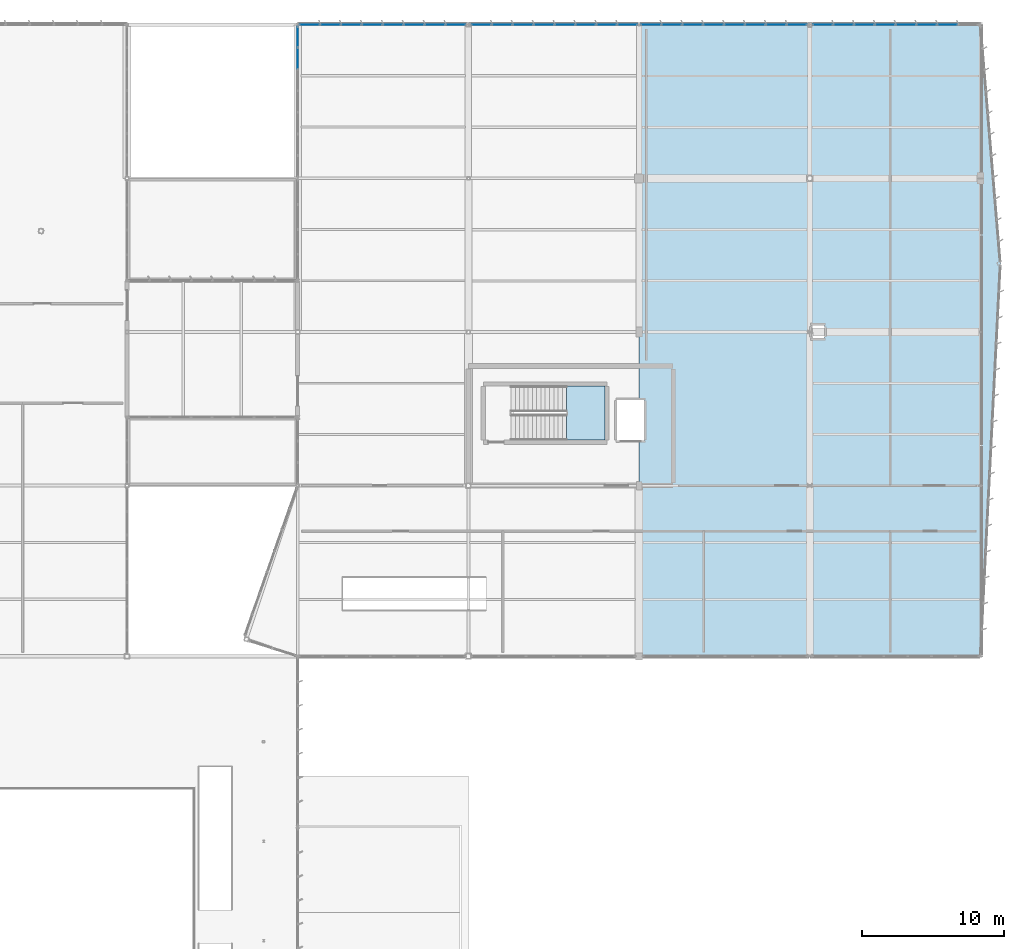
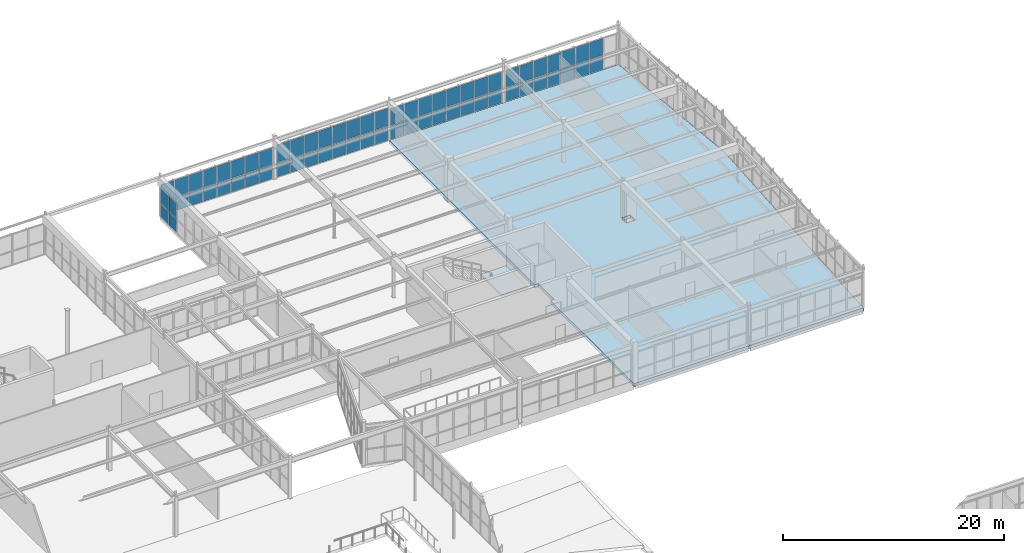
# One storey, part 151 of 226: 66 plates, 2 slabs, 6 elements without a shape of their own.
"""IFC4 building model written with IfcOpenShell, lengths in metres."""

from ifc_helpers import new_model, si_unit, direction, frame, origin, origin_2d, place, context, subcontext, project, spatial, polyline, rectangle, outline, extrude, material, layer, layer_set, type_object, element, aggregate, save


model = new_model("IFC4")

# Units and contexts
model_context = context("Model", 3, precision=1e-05, world=origin(), true_north=direction((0.0, 1.0)))
body_context = subcontext(model_context, "Body", "Model", "MODEL_VIEW")
ifc_project = project(units=[si_unit("LENGTHUNIT", "METRE"), si_unit("AREAUNIT", "SQUARE_METRE"), si_unit("VOLUMEUNIT", "CUBIC_METRE"), si_unit("PLANEANGLEUNIT", "RADIAN"), si_unit("MASSUNIT", "GRAM", prefix="KILO")], contexts=[model_context])

# Site, building, storey
site_placement = place(None, origin())
site = spatial("IfcSite", under=ifc_project, at=site_placement, CompositionType="ELEMENT")
building_placement = place(site_placement, origin())
building = spatial("IfcBuilding", under=site, at=building_placement, Name="Tarnwether General Hospital", CompositionType="ELEMENT")
storey_placement = place(building_placement, frame((0.0, 0.0, 4.800048828125)))
storey = spatial("IfcBuildingStorey", under=building, at=storey_placement, Name="L01", CompositionType="ELEMENT", Elevation=4.800048828125)

# Curtain wall, plates
ifc_material_1 = material(Name="Anodised aluminium", Category="aluminium")
ifc_layer_1 = layer(ifc_material_1, 0.159912109375)
ifc_layer_set_1 = layer_set([ifc_layer_1], Name="Anodised aluminium")
curtain_wall_type_1 = type_object("IfcCurtainWallType", Name="CW-15", PredefinedType="NOTDEFINED", material=ifc_layer_set_1)
curtain_wall_1_placement = place(storey_placement, origin())
curtain_wall_1 = element("IfcCurtainWall", 1, at=curtain_wall_1_placement, inside=storey, type_object=curtain_wall_type_1, Name="Curtain Wall CWG-L01-1440_1153-0378", PredefinedType="NOTDEFINED")
ifc_material_2 = material(Name="Double glazed low-E glass", Category="glass")
ifc_layer_2 = layer(ifc_material_2, 0.028076171875)
ifc_layer_set_2 = layer_set([ifc_layer_2], Name="Double glazed low-E glass")
plate_type = type_object("IfcPlateType", Name="PT-CWP1", PredefinedType="CURTAIN_PANEL", material=ifc_layer_set_2)
plate_1_placement = place(storey_placement, frame((144.0, 123.638427734375, 0.059814453125), z_axis=(0.0, 0.0, 1.0), x_axis=(0.0, 1.0, 0.0)))
plate_1 = element("IfcPlate", 2, at=plate_1_placement, type_object=plate_type, Name="CW-15 panel 6.1", PredefinedType="CURTAIN_PANEL", context=body_context, shape_type="SweptSolid", body=[
    extrude(rectangle(XDim=1.45849609375, YDim=0.028076171875, at=origin_2d()), origin(), (0.0, 0.0, 1.0), 1.47607421875),
])
plate_2_placement = place(storey_placement, frame((144.0, 123.638427734375, 1.59619140625), z_axis=(0.0, 0.0, 1.0), x_axis=(0.0, 1.0, 0.0)))
plate_2 = element("IfcPlate", 3, at=plate_2_placement, type_object=plate_type, Name="CW-15 panel 6.2", PredefinedType="CURTAIN_PANEL", context=body_context, shape_type="SweptSolid", body=[
    extrude(rectangle(XDim=1.45849609375, YDim=0.028076171875, at=origin_2d()), origin(), (0.0, 0.0, 1.0), 1.823974609375),
])
plate_3_placement = place(storey_placement, frame((144.0, 125.141845703125, 0.059814453125), z_axis=(0.0, 0.0, 1.0), x_axis=(0.0, 1.0, 0.0)))
plate_3 = element("IfcPlate", 4, at=plate_3_placement, type_object=plate_type, Name="CW-15 panel 7.1", PredefinedType="CURTAIN_PANEL", context=body_context, shape_type="SweptSolid", body=[
    extrude(rectangle(XDim=1.428466796875, YDim=0.028076171875, at=origin_2d()), origin(), (0.0, 0.0, 1.0), 1.47607421875),
])
plate_4_placement = place(storey_placement, frame((144.0, 125.141845703125, 1.59619140625), z_axis=(0.0, 0.0, 1.0), x_axis=(0.0, 1.0, 0.0)))
plate_4 = element("IfcPlate", 5, at=plate_4_placement, type_object=plate_type, Name="CW-15 panel 7.2", PredefinedType="CURTAIN_PANEL", context=body_context, shape_type="SweptSolid", body=[
    extrude(rectangle(XDim=1.428466796875, YDim=0.028076171875, at=origin_2d()), origin(), (0.0, 0.0, 1.0), 1.823974609375),
])
aggregate(curtain_wall_1, [plate_1, plate_2, plate_3, plate_4])

ifc_material_3 = material(Name="Anodised aluminium", Category="aluminium")
ifc_layer_3 = layer(ifc_material_3, 0.159912109375)
ifc_layer_set_3 = layer_set([ifc_layer_3], Name="Anodised aluminium")
curtain_wall_type_2 = type_object("IfcCurtainWallType", Name="CW-16", PredefinedType="NOTDEFINED", material=ifc_layer_set_3)
curtain_wall_2_placement = place(storey_placement, origin())
curtain_wall_2 = element("IfcCurtainWall", 6, at=curtain_wall_2_placement, inside=storey, type_object=curtain_wall_type_2, Name="Curtain Wall CWG-L01-1441_1260-0389", PredefinedType="NOTDEFINED")
plate_5_placement = place(storey_placement, frame((144.833984375, 126.0, 0.059814453125), z_axis=(0.0, 0.0, 1.0), x_axis=(1.0, 0.0, 0.0)))
plate_5 = element("IfcPlate", 7, at=plate_5_placement, type_object=plate_type, Name="CW-16 panel 1.1", PredefinedType="CURTAIN_PANEL", context=body_context, shape_type="SweptSolid", body=[
    extrude(rectangle(XDim=1.379638671875, YDim=0.028076171875, at=origin_2d()), origin(), (0.0, 0.0, 1.0), 1.49853515625),
])
plate_6_placement = place(storey_placement, frame((144.833984375, 126.0, 1.618408203125), z_axis=(0.0, 0.0, 1.0), x_axis=(1.0, 0.0, 0.0)))
plate_6 = element("IfcPlate", 8, at=plate_6_placement, type_object=plate_type, Name="CW-16 panel 1.2", PredefinedType="CURTAIN_PANEL", context=body_context, shape_type="SweptSolid", body=[
    extrude(rectangle(XDim=1.379638671875, YDim=0.028076171875, at=origin_2d()), origin(), (0.0, 0.0, 1.0), 1.8515625),
])
plate_7_placement = place(storey_placement, frame((146.28857421875, 126.0, 0.059814453125), z_axis=(0.0, 0.0, 1.0), x_axis=(1.0, 0.0, 0.0)))
plate_7 = element("IfcPlate", 9, at=plate_7_placement, type_object=plate_type, Name="CW-16 panel 2.1", PredefinedType="CURTAIN_PANEL", context=body_context, shape_type="SweptSolid", body=[
    extrude(rectangle(XDim=1.40966796875, YDim=0.028076171875, at=origin_2d()), origin(), (0.0, 0.0, 1.0), 1.49853515625),
])
plate_8_placement = place(storey_placement, frame((146.28857421875, 126.0, 1.618408203125), z_axis=(0.0, 0.0, 1.0), x_axis=(1.0, 0.0, 0.0)))
plate_8 = element("IfcPlate", 10, at=plate_8_placement, type_object=plate_type, Name="CW-16 panel 2.2", PredefinedType="CURTAIN_PANEL", context=body_context, shape_type="SweptSolid", body=[
    extrude(rectangle(XDim=1.40966796875, YDim=0.028076171875, at=origin_2d()), origin(), (0.0, 0.0, 1.0), 1.8515625),
])
plate_9_placement = place(storey_placement, frame((147.75830078125, 126.0, 0.059814453125), z_axis=(0.0, 0.0, 1.0), x_axis=(1.0, 0.0, 0.0)))
plate_9 = element("IfcPlate", 11, at=plate_9_placement, type_object=plate_type, Name="CW-16 panel 3.1", PredefinedType="CURTAIN_PANEL", context=body_context, shape_type="SweptSolid", body=[
    extrude(rectangle(XDim=1.40966796875, YDim=0.028076171875, at=origin_2d()), origin(), (0.0, 0.0, 1.0), 1.49853515625),
])
plate_10_placement = place(storey_placement, frame((147.75830078125, 126.0, 1.618408203125), z_axis=(0.0, 0.0, 1.0), x_axis=(1.0, 0.0, 0.0)))
plate_10 = element("IfcPlate", 12, at=plate_10_placement, type_object=plate_type, Name="CW-16 panel 3.2", PredefinedType="CURTAIN_PANEL", context=body_context, shape_type="SweptSolid", body=[
    extrude(rectangle(XDim=1.40966796875, YDim=0.028076171875, at=origin_2d()), origin(), (0.0, 0.0, 1.0), 1.8515625),
])
plate_11_placement = place(storey_placement, frame((149.22802734375, 126.0, 0.059814453125), z_axis=(0.0, 0.0, 1.0), x_axis=(1.0, 0.0, 0.0)))
plate_11 = element("IfcPlate", 13, at=plate_11_placement, type_object=plate_type, Name="CW-16 panel 4.1", PredefinedType="CURTAIN_PANEL", context=body_context, shape_type="SweptSolid", body=[
    extrude(rectangle(XDim=1.40966796875, YDim=0.028076171875, at=origin_2d()), origin(), (0.0, 0.0, 1.0), 1.49853515625),
])
plate_12_placement = place(storey_placement, frame((149.22802734375, 126.0, 1.618408203125), z_axis=(0.0, 0.0, 1.0), x_axis=(1.0, 0.0, 0.0)))
plate_12 = element("IfcPlate", 14, at=plate_12_placement, type_object=plate_type, Name="CW-16 panel 4.2", PredefinedType="CURTAIN_PANEL", context=body_context, shape_type="SweptSolid", body=[
    extrude(rectangle(XDim=1.40966796875, YDim=0.028076171875, at=origin_2d()), origin(), (0.0, 0.0, 1.0), 1.8515625),
])
plate_13_placement = place(storey_placement, frame((150.69775390625, 126.0, 0.059814453125), z_axis=(0.0, 0.0, 1.0), x_axis=(1.0, 0.0, 0.0)))
plate_13 = element("IfcPlate", 15, at=plate_13_placement, type_object=plate_type, Name="CW-16 panel 5.1", PredefinedType="CURTAIN_PANEL", context=body_context, shape_type="SweptSolid", body=[
    extrude(rectangle(XDim=1.40966796875, YDim=0.028076171875, at=origin_2d()), origin(), (0.0, 0.0, 1.0), 1.49853515625),
])
plate_14_placement = place(storey_placement, frame((150.69775390625, 126.0, 1.618408203125), z_axis=(0.0, 0.0, 1.0), x_axis=(1.0, 0.0, 0.0)))
plate_14 = element("IfcPlate", 16, at=plate_14_placement, type_object=plate_type, Name="CW-16 panel 5.2", PredefinedType="CURTAIN_PANEL", context=body_context, shape_type="SweptSolid", body=[
    extrude(rectangle(XDim=1.40966796875, YDim=0.028076171875, at=origin_2d()), origin(), (0.0, 0.0, 1.0), 1.8515625),
])
plate_15_placement = place(storey_placement, frame((152.167724609375, 126.0, 0.059814453125), z_axis=(0.0, 0.0, 1.0), x_axis=(1.0, 0.0, 0.0)))
plate_15 = element("IfcPlate", 17, at=plate_15_placement, type_object=plate_type, Name="CW-16 panel 6.1", PredefinedType="CURTAIN_PANEL", context=body_context, shape_type="SweptSolid", body=[
    extrude(rectangle(XDim=1.40966796875, YDim=0.028076171875, at=origin_2d()), origin(), (0.0, 0.0, 1.0), 1.49853515625),
])
plate_16_placement = place(storey_placement, frame((152.167724609375, 126.0, 1.618408203125), z_axis=(0.0, 0.0, 1.0), x_axis=(1.0, 0.0, 0.0)))
plate_16 = element("IfcPlate", 18, at=plate_16_placement, type_object=plate_type, Name="CW-16 panel 6.2", PredefinedType="CURTAIN_PANEL", context=body_context, shape_type="SweptSolid", body=[
    extrude(rectangle(XDim=1.40966796875, YDim=0.028076171875, at=origin_2d()), origin(), (0.0, 0.0, 1.0), 1.8515625),
])
plate_17_placement = place(storey_placement, frame((153.637451171875, 126.0, 0.059814453125), z_axis=(0.0, 0.0, 1.0), x_axis=(1.0, 0.0, 0.0)))
plate_17 = element("IfcPlate", 19, at=plate_17_placement, type_object=plate_type, Name="CW-16 panel 7.1", PredefinedType="CURTAIN_PANEL", context=body_context, shape_type="SweptSolid", body=[
    extrude(rectangle(XDim=1.40966796875, YDim=0.028076171875, at=origin_2d()), origin(), (0.0, 0.0, 1.0), 1.49853515625),
])
plate_18_placement = place(storey_placement, frame((153.637451171875, 126.0, 1.618408203125), z_axis=(0.0, 0.0, 1.0), x_axis=(1.0, 0.0, 0.0)))
plate_18 = element("IfcPlate", 20, at=plate_18_placement, type_object=plate_type, Name="CW-16 panel 7.2", PredefinedType="CURTAIN_PANEL", context=body_context, shape_type="SweptSolid", body=[
    extrude(rectangle(XDim=1.40966796875, YDim=0.028076171875, at=origin_2d()), origin(), (0.0, 0.0, 1.0), 1.8515625),
])
plate_19_placement = place(storey_placement, frame((155.092041015625, 126.0, 0.059814453125), z_axis=(0.0, 0.0, 1.0), x_axis=(1.0, 0.0, 0.0)))
plate_19 = element("IfcPlate", 21, at=plate_19_placement, type_object=plate_type, Name="CW-16 panel 8.1", PredefinedType="CURTAIN_PANEL", context=body_context, shape_type="SweptSolid", body=[
    extrude(rectangle(XDim=1.379638671875, YDim=0.028076171875, at=origin_2d()), origin(), (0.0, 0.0, 1.0), 1.49853515625),
])
plate_20_placement = place(storey_placement, frame((155.092041015625, 126.0, 1.618408203125), z_axis=(0.0, 0.0, 1.0), x_axis=(1.0, 0.0, 0.0)))
plate_20 = element("IfcPlate", 22, at=plate_20_placement, type_object=plate_type, Name="CW-16 panel 8.2", PredefinedType="CURTAIN_PANEL", context=body_context, shape_type="SweptSolid", body=[
    extrude(rectangle(XDim=1.379638671875, YDim=0.028076171875, at=origin_2d()), origin(), (0.0, 0.0, 1.0), 1.8515625),
])
aggregate(curtain_wall_2, [plate_5, plate_6, plate_7, plate_8, plate_9, plate_10, plate_11, plate_12, plate_13, plate_14, plate_15, plate_16, plate_17, plate_18, plate_19, plate_20])

curtain_wall_3_placement = place(storey_placement, origin())
curtain_wall_3 = element("IfcCurtainWall", 23, at=curtain_wall_3_placement, inside=storey, type_object=curtain_wall_type_2, Name="Curtain Wall CWG-L01-1562_1260-0390", PredefinedType="NOTDEFINED")
plate_21_placement = place(storey_placement, frame((156.90771484375, 126.0, 0.06005859375), z_axis=(0.0, 0.0, 1.0), x_axis=(1.0, 0.0, 0.0)))
plate_21 = element("IfcPlate", 24, at=plate_21_placement, type_object=plate_type, Name="CW-16 panel 1.1", PredefinedType="CURTAIN_PANEL", context=body_context, shape_type="SweptSolid", body=[
    extrude(rectangle(XDim=1.379638671875, YDim=0.028076171875, at=origin_2d()), origin(), (0.0, 0.0, 1.0), 1.56591796875),
])
plate_22_placement = place(storey_placement, frame((156.90771484375, 126.0, 1.685791015625), z_axis=(0.0, 0.0, 1.0), x_axis=(1.0, 0.0, 0.0)))
plate_22 = element("IfcPlate", 25, at=plate_22_placement, type_object=plate_type, Name="CW-16 panel 1.2", PredefinedType="CURTAIN_PANEL", context=body_context, shape_type="SweptSolid", body=[
    extrude(rectangle(XDim=1.379638671875, YDim=0.028076171875, at=origin_2d()), origin(), (0.0, 0.0, 1.0), 1.93408203125),
])
plate_23_placement = place(storey_placement, frame((158.362548828125, 126.0, 0.06005859375), z_axis=(0.0, 0.0, 1.0), x_axis=(1.0, 0.0, 0.0)))
plate_23 = element("IfcPlate", 26, at=plate_23_placement, type_object=plate_type, Name="CW-16 panel 2.1", PredefinedType="CURTAIN_PANEL", context=body_context, shape_type="SweptSolid", body=[
    extrude(rectangle(XDim=1.40966796875, YDim=0.028076171875, at=origin_2d()), origin(), (0.0, 0.0, 1.0), 1.56591796875),
])
plate_24_placement = place(storey_placement, frame((158.362548828125, 126.0, 1.685791015625), z_axis=(0.0, 0.0, 1.0), x_axis=(1.0, 0.0, 0.0)))
plate_24 = element("IfcPlate", 27, at=plate_24_placement, type_object=plate_type, Name="CW-16 panel 2.2", PredefinedType="CURTAIN_PANEL", context=body_context, shape_type="SweptSolid", body=[
    extrude(rectangle(XDim=1.40966796875, YDim=0.028076171875, at=origin_2d()), origin(), (0.0, 0.0, 1.0), 1.93408203125),
])
plate_25_placement = place(storey_placement, frame((159.83203125, 126.0, 0.06005859375), z_axis=(0.0, 0.0, 1.0), x_axis=(1.0, 0.0, 0.0)))
plate_25 = element("IfcPlate", 28, at=plate_25_placement, type_object=plate_type, Name="CW-16 panel 3.1", PredefinedType="CURTAIN_PANEL", context=body_context, shape_type="SweptSolid", body=[
    extrude(rectangle(XDim=1.40966796875, YDim=0.028076171875, at=origin_2d()), origin(), (0.0, 0.0, 1.0), 1.56591796875),
])
plate_26_placement = place(storey_placement, frame((159.83203125, 126.0, 1.685791015625), z_axis=(0.0, 0.0, 1.0), x_axis=(1.0, 0.0, 0.0)))
plate_26 = element("IfcPlate", 29, at=plate_26_placement, type_object=plate_type, Name="CW-16 panel 3.2", PredefinedType="CURTAIN_PANEL", context=body_context, shape_type="SweptSolid", body=[
    extrude(rectangle(XDim=1.40966796875, YDim=0.028076171875, at=origin_2d()), origin(), (0.0, 0.0, 1.0), 1.93408203125),
])
plate_27_placement = place(storey_placement, frame((161.3017578125, 126.0, 0.06005859375), z_axis=(0.0, 0.0, 1.0), x_axis=(1.0, 0.0, 0.0)))
plate_27 = element("IfcPlate", 30, at=plate_27_placement, type_object=plate_type, Name="CW-16 panel 4.1", PredefinedType="CURTAIN_PANEL", context=body_context, shape_type="SweptSolid", body=[
    extrude(rectangle(XDim=1.40966796875, YDim=0.028076171875, at=origin_2d()), origin(), (0.0, 0.0, 1.0), 1.56591796875),
])
plate_28_placement = place(storey_placement, frame((161.3017578125, 126.0, 1.685791015625), z_axis=(0.0, 0.0, 1.0), x_axis=(1.0, 0.0, 0.0)))
plate_28 = element("IfcPlate", 31, at=plate_28_placement, type_object=plate_type, Name="CW-16 panel 4.2", PredefinedType="CURTAIN_PANEL", context=body_context, shape_type="SweptSolid", body=[
    extrude(rectangle(XDim=1.40966796875, YDim=0.028076171875, at=origin_2d()), origin(), (0.0, 0.0, 1.0), 1.93408203125),
])
plate_29_placement = place(storey_placement, frame((162.771240234375, 126.0, 0.06005859375), z_axis=(0.0, 0.0, 1.0), x_axis=(1.0, 0.0, 0.0)))
plate_29 = element("IfcPlate", 32, at=plate_29_placement, type_object=plate_type, Name="CW-16 panel 5.1", PredefinedType="CURTAIN_PANEL", context=body_context, shape_type="SweptSolid", body=[
    extrude(rectangle(XDim=1.40966796875, YDim=0.028076171875, at=origin_2d()), origin(), (0.0, 0.0, 1.0), 1.56591796875),
])
plate_30_placement = place(storey_placement, frame((162.771240234375, 126.0, 1.685791015625), z_axis=(0.0, 0.0, 1.0), x_axis=(1.0, 0.0, 0.0)))
plate_30 = element("IfcPlate", 33, at=plate_30_placement, type_object=plate_type, Name="CW-16 panel 5.2", PredefinedType="CURTAIN_PANEL", context=body_context, shape_type="SweptSolid", body=[
    extrude(rectangle(XDim=1.40966796875, YDim=0.028076171875, at=origin_2d()), origin(), (0.0, 0.0, 1.0), 1.93408203125),
])
plate_31_placement = place(storey_placement, frame((164.240966796875, 126.0, 0.06005859375), z_axis=(0.0, 0.0, 1.0), x_axis=(1.0, 0.0, 0.0)))
plate_31 = element("IfcPlate", 34, at=plate_31_placement, type_object=plate_type, Name="CW-16 panel 6.1", PredefinedType="CURTAIN_PANEL", context=body_context, shape_type="SweptSolid", body=[
    extrude(rectangle(XDim=1.40966796875, YDim=0.028076171875, at=origin_2d()), origin(), (0.0, 0.0, 1.0), 1.56591796875),
])
plate_32_placement = place(storey_placement, frame((164.240966796875, 126.0, 1.685791015625), z_axis=(0.0, 0.0, 1.0), x_axis=(1.0, 0.0, 0.0)))
plate_32 = element("IfcPlate", 35, at=plate_32_placement, type_object=plate_type, Name="CW-16 panel 6.2", PredefinedType="CURTAIN_PANEL", context=body_context, shape_type="SweptSolid", body=[
    extrude(rectangle(XDim=1.40966796875, YDim=0.028076171875, at=origin_2d()), origin(), (0.0, 0.0, 1.0), 1.93408203125),
])
plate_33_placement = place(storey_placement, frame((165.71044921875, 126.0, 0.06005859375), z_axis=(0.0, 0.0, 1.0), x_axis=(1.0, 0.0, 0.0)))
plate_33 = element("IfcPlate", 36, at=plate_33_placement, type_object=plate_type, Name="CW-16 panel 7.1", PredefinedType="CURTAIN_PANEL", context=body_context, shape_type="SweptSolid", body=[
    extrude(rectangle(XDim=1.40966796875, YDim=0.028076171875, at=origin_2d()), origin(), (0.0, 0.0, 1.0), 1.56591796875),
])
plate_34_placement = place(storey_placement, frame((165.71044921875, 126.0, 1.685791015625), z_axis=(0.0, 0.0, 1.0), x_axis=(1.0, 0.0, 0.0)))
plate_34 = element("IfcPlate", 37, at=plate_34_placement, type_object=plate_type, Name="CW-16 panel 7.2", PredefinedType="CURTAIN_PANEL", context=body_context, shape_type="SweptSolid", body=[
    extrude(rectangle(XDim=1.40966796875, YDim=0.028076171875, at=origin_2d()), origin(), (0.0, 0.0, 1.0), 1.93408203125),
])
plate_35_placement = place(storey_placement, frame((167.165283203125, 126.0, 0.06005859375), z_axis=(0.0, 0.0, 1.0), x_axis=(1.0, 0.0, 0.0)))
plate_35 = element("IfcPlate", 38, at=plate_35_placement, type_object=plate_type, Name="CW-16 panel 8.1", PredefinedType="CURTAIN_PANEL", context=body_context, shape_type="SweptSolid", body=[
    extrude(rectangle(XDim=1.379638671875, YDim=0.028076171875, at=origin_2d()), origin(), (0.0, 0.0, 1.0), 1.56591796875),
])
plate_36_placement = place(storey_placement, frame((167.165283203125, 126.0, 1.685791015625), z_axis=(0.0, 0.0, 1.0), x_axis=(1.0, 0.0, 0.0)))
plate_36 = element("IfcPlate", 39, at=plate_36_placement, type_object=plate_type, Name="CW-16 panel 8.2", PredefinedType="CURTAIN_PANEL", context=body_context, shape_type="SweptSolid", body=[
    extrude(rectangle(XDim=1.379638671875, YDim=0.028076171875, at=origin_2d()), origin(), (0.0, 0.0, 1.0), 1.93408203125),
])
aggregate(curtain_wall_3, [plate_21, plate_22, plate_23, plate_24, plate_25, plate_26, plate_27, plate_28, plate_29, plate_30, plate_31, plate_32, plate_33, plate_34, plate_35, plate_36])

curtain_wall_4_placement = place(storey_placement, origin())
curtain_wall_4 = element("IfcCurtainWall", 40, at=curtain_wall_4_placement, inside=storey, type_object=curtain_wall_type_2, Name="Curtain Wall CWG-L01-1681_1260-0391", PredefinedType="NOTDEFINED")
plate_37_placement = place(storey_placement, frame((168.833984375, 126.0, 0.059814453125), z_axis=(0.0, 0.0, 1.0), x_axis=(1.0, 0.0, 0.0)))
plate_37 = element("IfcPlate", 41, at=plate_37_placement, type_object=plate_type, Name="CW-16 panel 1.1", PredefinedType="CURTAIN_PANEL", context=body_context, shape_type="SweptSolid", body=[
    extrude(rectangle(XDim=1.378173828125, YDim=0.028076171875, at=origin_2d()), origin(), (0.0, 0.0, 1.0), 1.49853515625),
])
plate_38_placement = place(storey_placement, frame((168.833984375, 126.0, 1.618408203125), z_axis=(0.0, 0.0, 1.0), x_axis=(1.0, 0.0, 0.0)))
plate_38 = element("IfcPlate", 42, at=plate_38_placement, type_object=plate_type, Name="CW-16 panel 1.2", PredefinedType="CURTAIN_PANEL", context=body_context, shape_type="SweptSolid", body=[
    extrude(rectangle(XDim=1.378173828125, YDim=0.028076171875, at=origin_2d()), origin(), (0.0, 0.0, 1.0), 1.8515625),
])
plate_39_placement = place(storey_placement, frame((170.287109375, 126.0, 0.059814453125), z_axis=(0.0, 0.0, 1.0), x_axis=(1.0, 0.0, 0.0)))
plate_39 = element("IfcPlate", 43, at=plate_39_placement, type_object=plate_type, Name="CW-16 panel 2.1", PredefinedType="CURTAIN_PANEL", context=body_context, shape_type="SweptSolid", body=[
    extrude(rectangle(XDim=1.408203125, YDim=0.028076171875, at=origin_2d()), origin(), (0.0, 0.0, 1.0), 1.49853515625),
])
plate_40_placement = place(storey_placement, frame((170.287109375, 126.0, 1.618408203125), z_axis=(0.0, 0.0, 1.0), x_axis=(1.0, 0.0, 0.0)))
plate_40 = element("IfcPlate", 44, at=plate_40_placement, type_object=plate_type, Name="CW-16 panel 2.2", PredefinedType="CURTAIN_PANEL", context=body_context, shape_type="SweptSolid", body=[
    extrude(rectangle(XDim=1.408203125, YDim=0.028076171875, at=origin_2d()), origin(), (0.0, 0.0, 1.0), 1.8515625),
])
plate_41_placement = place(storey_placement, frame((171.75537109375, 126.0, 0.059814453125), z_axis=(0.0, 0.0, 1.0), x_axis=(1.0, 0.0, 0.0)))
plate_41 = element("IfcPlate", 45, at=plate_41_placement, type_object=plate_type, Name="CW-16 panel 3.1", PredefinedType="CURTAIN_PANEL", context=body_context, shape_type="SweptSolid", body=[
    extrude(rectangle(XDim=1.408203125, YDim=0.028076171875, at=origin_2d()), origin(), (0.0, 0.0, 1.0), 1.49853515625),
])
plate_42_placement = place(storey_placement, frame((171.75537109375, 126.0, 1.618408203125), z_axis=(0.0, 0.0, 1.0), x_axis=(1.0, 0.0, 0.0)))
plate_42 = element("IfcPlate", 46, at=plate_42_placement, type_object=plate_type, Name="CW-16 panel 3.2", PredefinedType="CURTAIN_PANEL", context=body_context, shape_type="SweptSolid", body=[
    extrude(rectangle(XDim=1.408203125, YDim=0.028076171875, at=origin_2d()), origin(), (0.0, 0.0, 1.0), 1.8515625),
])
plate_43_placement = place(storey_placement, frame((173.223388671875, 126.0, 0.059814453125), z_axis=(0.0, 0.0, 1.0), x_axis=(1.0, 0.0, 0.0)))
plate_43 = element("IfcPlate", 47, at=plate_43_placement, type_object=plate_type, Name="CW-16 panel 4.1", PredefinedType="CURTAIN_PANEL", context=body_context, shape_type="SweptSolid", body=[
    extrude(rectangle(XDim=1.408203125, YDim=0.028076171875, at=origin_2d()), origin(), (0.0, 0.0, 1.0), 1.49853515625),
])
plate_44_placement = place(storey_placement, frame((173.223388671875, 126.0, 1.618408203125), z_axis=(0.0, 0.0, 1.0), x_axis=(1.0, 0.0, 0.0)))
plate_44 = element("IfcPlate", 48, at=plate_44_placement, type_object=plate_type, Name="CW-16 panel 4.2", PredefinedType="CURTAIN_PANEL", context=body_context, shape_type="SweptSolid", body=[
    extrude(rectangle(XDim=1.408203125, YDim=0.028076171875, at=origin_2d()), origin(), (0.0, 0.0, 1.0), 1.8515625),
])
plate_45_placement = place(storey_placement, frame((174.691650390625, 126.0, 0.059814453125), z_axis=(0.0, 0.0, 1.0), x_axis=(1.0, 0.0, 0.0)))
plate_45 = element("IfcPlate", 49, at=plate_45_placement, type_object=plate_type, Name="CW-16 panel 5.1", PredefinedType="CURTAIN_PANEL", context=body_context, shape_type="SweptSolid", body=[
    extrude(rectangle(XDim=1.408203125, YDim=0.028076171875, at=origin_2d()), origin(), (0.0, 0.0, 1.0), 1.49853515625),
])
plate_46_placement = place(storey_placement, frame((174.691650390625, 126.0, 1.618408203125), z_axis=(0.0, 0.0, 1.0), x_axis=(1.0, 0.0, 0.0)))
plate_46 = element("IfcPlate", 50, at=plate_46_placement, type_object=plate_type, Name="CW-16 panel 5.2", PredefinedType="CURTAIN_PANEL", context=body_context, shape_type="SweptSolid", body=[
    extrude(rectangle(XDim=1.408203125, YDim=0.028076171875, at=origin_2d()), origin(), (0.0, 0.0, 1.0), 1.8515625),
])
plate_47_placement = place(storey_placement, frame((176.15966796875, 126.0, 0.059814453125), z_axis=(0.0, 0.0, 1.0), x_axis=(1.0, 0.0, 0.0)))
plate_47 = element("IfcPlate", 51, at=plate_47_placement, type_object=plate_type, Name="CW-16 panel 6.1", PredefinedType="CURTAIN_PANEL", context=body_context, shape_type="SweptSolid", body=[
    extrude(rectangle(XDim=1.408203125, YDim=0.028076171875, at=origin_2d()), origin(), (0.0, 0.0, 1.0), 1.49853515625),
])
plate_48_placement = place(storey_placement, frame((176.15966796875, 126.0, 1.618408203125), z_axis=(0.0, 0.0, 1.0), x_axis=(1.0, 0.0, 0.0)))
plate_48 = element("IfcPlate", 52, at=plate_48_placement, type_object=plate_type, Name="CW-16 panel 6.2", PredefinedType="CURTAIN_PANEL", context=body_context, shape_type="SweptSolid", body=[
    extrude(rectangle(XDim=1.408203125, YDim=0.028076171875, at=origin_2d()), origin(), (0.0, 0.0, 1.0), 1.8515625),
])
plate_49_placement = place(storey_placement, frame((177.6279296875, 126.0, 0.059814453125), z_axis=(0.0, 0.0, 1.0), x_axis=(1.0, 0.0, 0.0)))
plate_49 = element("IfcPlate", 53, at=plate_49_placement, type_object=plate_type, Name="CW-16 panel 7.1", PredefinedType="CURTAIN_PANEL", context=body_context, shape_type="SweptSolid", body=[
    extrude(rectangle(XDim=1.408203125, YDim=0.028076171875, at=origin_2d()), origin(), (0.0, 0.0, 1.0), 1.49853515625),
])
plate_50_placement = place(storey_placement, frame((177.6279296875, 126.0, 1.618408203125), z_axis=(0.0, 0.0, 1.0), x_axis=(1.0, 0.0, 0.0)))
plate_50 = element("IfcPlate", 54, at=plate_50_placement, type_object=plate_type, Name="CW-16 panel 7.2", PredefinedType="CURTAIN_PANEL", context=body_context, shape_type="SweptSolid", body=[
    extrude(rectangle(XDim=1.408203125, YDim=0.028076171875, at=origin_2d()), origin(), (0.0, 0.0, 1.0), 1.8515625),
])
plate_51_placement = place(storey_placement, frame((179.0810546875, 126.0, 0.059814453125), z_axis=(0.0, 0.0, 1.0), x_axis=(1.0, 0.0, 0.0)))
plate_51 = element("IfcPlate", 55, at=plate_51_placement, type_object=plate_type, Name="CW-16 panel 8.1", PredefinedType="CURTAIN_PANEL", context=body_context, shape_type="SweptSolid", body=[
    extrude(rectangle(XDim=1.378173828125, YDim=0.028076171875, at=origin_2d()), origin(), (0.0, 0.0, 1.0), 1.49853515625),
])
plate_52_placement = place(storey_placement, frame((179.0810546875, 126.0, 1.618408203125), z_axis=(0.0, 0.0, 1.0), x_axis=(1.0, 0.0, 0.0)))
plate_52 = element("IfcPlate", 56, at=plate_52_placement, type_object=plate_type, Name="CW-16 panel 8.2", PredefinedType="CURTAIN_PANEL", context=body_context, shape_type="SweptSolid", body=[
    extrude(rectangle(XDim=1.378173828125, YDim=0.028076171875, at=origin_2d()), origin(), (0.0, 0.0, 1.0), 1.8515625),
])
aggregate(curtain_wall_4, [plate_37, plate_38, plate_39, plate_40, plate_41, plate_42, plate_43, plate_44, plate_45, plate_46, plate_47, plate_48, plate_49, plate_50, plate_51, plate_52])

curtain_wall_5_placement = place(storey_placement, origin())
curtain_wall_5 = element("IfcCurtainWall", 57, at=curtain_wall_5_placement, inside=storey, type_object=curtain_wall_type_2, Name="Curtain Wall CWG-L01-1802_1260-0392", PredefinedType="NOTDEFINED")
plate_53_placement = place(storey_placement, frame((180.916015625, 126.0, 0.059814453125), z_axis=(0.0, 0.0, 1.0), x_axis=(1.0, 0.0, 0.0)))
plate_53 = element("IfcPlate", 58, at=plate_53_placement, type_object=plate_type, Name="CW-16 panel 1.1", PredefinedType="CURTAIN_PANEL", context=body_context, shape_type="SweptSolid", body=[
    extrude(rectangle(XDim=1.371826171875, YDim=0.028076171875, at=origin_2d()), origin(), (0.0, 0.0, 1.0), 1.49853515625),
])
plate_54_placement = place(storey_placement, frame((180.916015625, 126.0, 1.618408203125), z_axis=(0.0, 0.0, 1.0), x_axis=(1.0, 0.0, 0.0)))
plate_54 = element("IfcPlate", 59, at=plate_54_placement, type_object=plate_type, Name="CW-16 panel 1.2", PredefinedType="CURTAIN_PANEL", context=body_context, shape_type="SweptSolid", body=[
    extrude(rectangle(XDim=1.371826171875, YDim=0.028076171875, at=origin_2d()), origin(), (0.0, 0.0, 1.0), 1.8515625),
])
plate_55_placement = place(storey_placement, frame((182.36279296875, 126.0, 0.059814453125), z_axis=(0.0, 0.0, 1.0), x_axis=(1.0, 0.0, 0.0)))
plate_55 = element("IfcPlate", 60, at=plate_55_placement, type_object=plate_type, Name="CW-16 panel 2.1", PredefinedType="CURTAIN_PANEL", context=body_context, shape_type="SweptSolid", body=[
    extrude(rectangle(XDim=1.40185546875, YDim=0.028076171875, at=origin_2d()), origin(), (0.0, 0.0, 1.0), 1.49853515625),
])
plate_56_placement = place(storey_placement, frame((182.36279296875, 126.0, 1.618408203125), z_axis=(0.0, 0.0, 1.0), x_axis=(1.0, 0.0, 0.0)))
plate_56 = element("IfcPlate", 61, at=plate_56_placement, type_object=plate_type, Name="CW-16 panel 2.2", PredefinedType="CURTAIN_PANEL", context=body_context, shape_type="SweptSolid", body=[
    extrude(rectangle(XDim=1.40185546875, YDim=0.028076171875, at=origin_2d()), origin(), (0.0, 0.0, 1.0), 1.8515625),
])
plate_57_placement = place(storey_placement, frame((183.82470703125, 126.0, 0.059814453125), z_axis=(0.0, 0.0, 1.0), x_axis=(1.0, 0.0, 0.0)))
plate_57 = element("IfcPlate", 62, at=plate_57_placement, type_object=plate_type, Name="CW-16 panel 3.1", PredefinedType="CURTAIN_PANEL", context=body_context, shape_type="SweptSolid", body=[
    extrude(rectangle(XDim=1.40185546875, YDim=0.028076171875, at=origin_2d()), origin(), (0.0, 0.0, 1.0), 1.49853515625),
])
plate_58_placement = place(storey_placement, frame((183.82470703125, 126.0, 1.618408203125), z_axis=(0.0, 0.0, 1.0), x_axis=(1.0, 0.0, 0.0)))
plate_58 = element("IfcPlate", 63, at=plate_58_placement, type_object=plate_type, Name="CW-16 panel 3.2", PredefinedType="CURTAIN_PANEL", context=body_context, shape_type="SweptSolid", body=[
    extrude(rectangle(XDim=1.40185546875, YDim=0.028076171875, at=origin_2d()), origin(), (0.0, 0.0, 1.0), 1.8515625),
])
plate_59_placement = place(storey_placement, frame((185.28662109375, 126.0, 0.059814453125), z_axis=(0.0, 0.0, 1.0), x_axis=(1.0, 0.0, 0.0)))
plate_59 = element("IfcPlate", 64, at=plate_59_placement, type_object=plate_type, Name="CW-16 panel 4.1", PredefinedType="CURTAIN_PANEL", context=body_context, shape_type="SweptSolid", body=[
    extrude(rectangle(XDim=1.40185546875, YDim=0.028076171875, at=origin_2d()), origin(), (0.0, 0.0, 1.0), 1.49853515625),
])
plate_60_placement = place(storey_placement, frame((185.28662109375, 126.0, 1.618408203125), z_axis=(0.0, 0.0, 1.0), x_axis=(1.0, 0.0, 0.0)))
plate_60 = element("IfcPlate", 65, at=plate_60_placement, type_object=plate_type, Name="CW-16 panel 4.2", PredefinedType="CURTAIN_PANEL", context=body_context, shape_type="SweptSolid", body=[
    extrude(rectangle(XDim=1.40185546875, YDim=0.028076171875, at=origin_2d()), origin(), (0.0, 0.0, 1.0), 1.8515625),
])
plate_61_placement = place(storey_placement, frame((186.74853515625, 126.0, 0.059814453125), z_axis=(0.0, 0.0, 1.0), x_axis=(1.0, 0.0, 0.0)))
plate_61 = element("IfcPlate", 66, at=plate_61_placement, type_object=plate_type, Name="CW-16 panel 5.1", PredefinedType="CURTAIN_PANEL", context=body_context, shape_type="SweptSolid", body=[
    extrude(rectangle(XDim=1.40185546875, YDim=0.028076171875, at=origin_2d()), origin(), (0.0, 0.0, 1.0), 1.49853515625),
])
plate_62_placement = place(storey_placement, frame((186.74853515625, 126.0, 1.618408203125), z_axis=(0.0, 0.0, 1.0), x_axis=(1.0, 0.0, 0.0)))
plate_62 = element("IfcPlate", 67, at=plate_62_placement, type_object=plate_type, Name="CW-16 panel 5.2", PredefinedType="CURTAIN_PANEL", context=body_context, shape_type="SweptSolid", body=[
    extrude(rectangle(XDim=1.40185546875, YDim=0.028076171875, at=origin_2d()), origin(), (0.0, 0.0, 1.0), 1.8515625),
])
plate_63_placement = place(storey_placement, frame((188.210205078125, 126.0, 0.059814453125), z_axis=(0.0, 0.0, 1.0), x_axis=(1.0, 0.0, 0.0)))
plate_63 = element("IfcPlate", 68, at=plate_63_placement, type_object=plate_type, Name="CW-16 panel 6.1", PredefinedType="CURTAIN_PANEL", context=body_context, shape_type="SweptSolid", body=[
    extrude(rectangle(XDim=1.40185546875, YDim=0.028076171875, at=origin_2d()), origin(), (0.0, 0.0, 1.0), 1.49853515625),
])
plate_64_placement = place(storey_placement, frame((188.210205078125, 126.0, 1.618408203125), z_axis=(0.0, 0.0, 1.0), x_axis=(1.0, 0.0, 0.0)))
plate_64 = element("IfcPlate", 69, at=plate_64_placement, type_object=plate_type, Name="CW-16 panel 6.2", PredefinedType="CURTAIN_PANEL", context=body_context, shape_type="SweptSolid", body=[
    extrude(rectangle(XDim=1.40185546875, YDim=0.028076171875, at=origin_2d()), origin(), (0.0, 0.0, 1.0), 1.8515625),
])
plate_65_placement = place(storey_placement, frame((189.672119140625, 126.0, 0.059814453125), z_axis=(0.0, 0.0, 1.0), x_axis=(1.0, 0.0, 0.0)))
plate_65 = element("IfcPlate", 70, at=plate_65_placement, type_object=plate_type, Name="CW-16 panel 7.1", PredefinedType="CURTAIN_PANEL", context=body_context, shape_type="SweptSolid", body=[
    extrude(rectangle(XDim=1.40185546875, YDim=0.028076171875, at=origin_2d()), origin(), (0.0, 0.0, 1.0), 1.49853515625),
])
plate_66_placement = place(storey_placement, frame((189.672119140625, 126.0, 1.618408203125), z_axis=(0.0, 0.0, 1.0), x_axis=(1.0, 0.0, 0.0)))
plate_66 = element("IfcPlate", 71, at=plate_66_placement, type_object=plate_type, Name="CW-16 panel 7.2", PredefinedType="CURTAIN_PANEL", context=body_context, shape_type="SweptSolid", body=[
    extrude(rectangle(XDim=1.40185546875, YDim=0.028076171875, at=origin_2d()), origin(), (0.0, 0.0, 1.0), 1.8515625),
])
aggregate(curtain_wall_5, [plate_53, plate_54, plate_55, plate_56, plate_57, plate_58, plate_59, plate_60, plate_61, plate_62, plate_63, plate_64, plate_65, plate_66])

# Slab
ifc_material_4 = material(Name="Concrete 40 MPa", Category="concrete")
ifc_layer_4 = layer(ifc_material_4, 0.35498046875)
ifc_layer_set_4 = layer_set([ifc_layer_4], Name="Concrete 40 MPa")
slab_type_1 = type_object("IfcSlabType", Name="SL-FL220", PredefinedType="FLOOR", material=ifc_layer_set_4)
slab_1_placement = place(storey_placement, frame((0.0, 0.0, -0.35498046875)))
element("IfcSlab", 72, at=slab_1_placement, inside=storey, type_object=slab_type_1, Name="L01 Outpatient North-East Shard Floor SL-L01-V6N2", PredefinedType="FLOOR", context=body_context, shape_type="SweptSolid", body=[
    extrude(outline(polyline([(192.0, 81.60009765625), (168.0, 81.60009765625), (168.0, 96.77001953125), (168.3798828125, 96.77001953125), (168.3798828125, 99.6298828125), (168.0, 99.6298828125), (168.0, 126.0), (192.0, 126.0), (193.39990234375, 109.199951171875), (192.0, 81.60009765625)]), holes=[polyline([(181.030029296875, 104.8701171875), (180.1298828125, 104.8701171875), (180.1298828125, 103.969970703125), (181.030029296875, 103.969970703125), (181.030029296875, 104.8701171875)])]), origin(), (0.0, 0.0, 1.0), 0.35498046875),
])

# Stair, slab
ifc_material_5 = material(Name="Concrete 40 MPa", Category="concrete")
stair_type = type_object("IfcStairType", Name="ST-DL48B", PredefinedType="HALF_TURN_STAIR", material=ifc_material_5)
stair_placement = place(storey_placement, origin())
stair = element("IfcStair", 73, at=stair_placement, inside=storey, type_object=stair_type, Name="L01 Exit Stair ST-06", PredefinedType="HALF_TURN_STAIR")
ifc_material_6 = material(Name="Concrete 40 MPa", Category="concrete")
ifc_layer_5 = layer(ifc_material_6, 0.199951171875)
ifc_layer_set_5 = layer_set([ifc_layer_5], Name="Concrete 40 MPa")
slab_type_2 = type_object("IfcSlabType", Name="SL-LD200", PredefinedType="LANDING", material=ifc_layer_set_5)
slab_2_placement = place(storey_placement, frame((0.0, 0.0, 2.199951171875)))
slab_2 = element("IfcSlab", 74, at=slab_2_placement, type_object=slab_type_2, Name="ST-06 landing 1", PredefinedType="LANDING", context=body_context, shape_type="SweptSolid", body=[
    extrude(outline(polyline([(162.89990234375, 96.800048828125), (165.60009765625, 96.800048828125), (165.60009765625, 100.60009765625), (162.89990234375, 100.60009765625), (162.89990234375, 96.800048828125)])), origin(), (0.0, 0.0, 1.0), 0.199951171875),
])
aggregate(stair, [slab_2])

save(model, "model.ifc")
